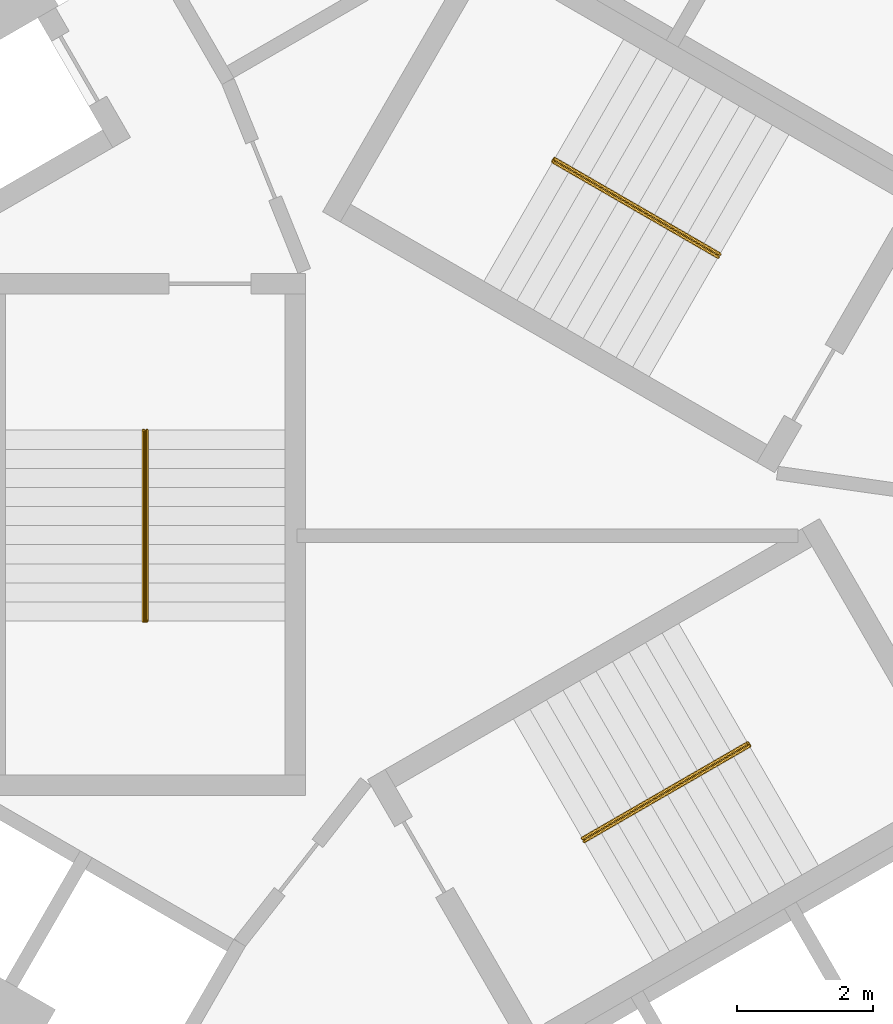
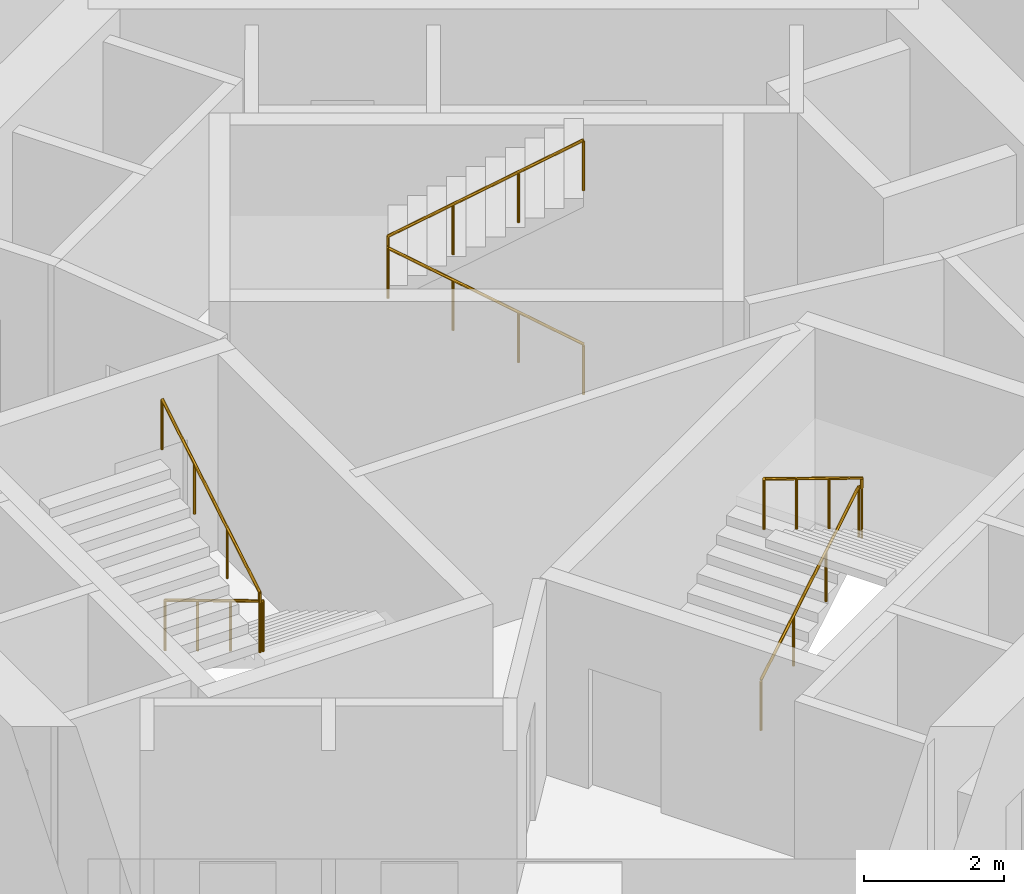
# One storey, part 11 of 11: 3 railings.
"""IFC4 building model written with IfcOpenShell, lengths in metres."""

from ifc_helpers import new_model, si_unit, direction, frame, origin, origin_2d, place, context, subcontext, project, spatial, circle, extrude, material, type_object, element, save


model = new_model("IFC4")

# Units and contexts
model_context = context("Model", 3, precision=1e-05, world=origin(), true_north=direction((0.0, 1.0)))
body_context = subcontext(model_context, "Body", "Model", "MODEL_VIEW")
ifc_project = project(units=[si_unit("LENGTHUNIT", "METRE"), si_unit("AREAUNIT", "SQUARE_METRE"), si_unit("VOLUMEUNIT", "CUBIC_METRE"), si_unit("PLANEANGLEUNIT", "RADIAN"), si_unit("MASSUNIT", "GRAM", prefix="KILO")], contexts=[model_context])

# Site, building, storey
site_placement = place(None, origin())
site = spatial("IfcSite", under=ifc_project, at=site_placement, CompositionType="ELEMENT")
building_placement = place(site_placement, origin())
building = spatial("IfcBuilding", under=site, at=building_placement, Name="Vanh Sen Convention Tower", CompositionType="ELEMENT")
storey_placement = place(building_placement, frame((0.0, 0.0, 247.60009765625)))
storey = spatial("IfcBuildingStorey", under=building, at=storey_placement, Name="L61", CompositionType="ELEMENT", Elevation=247.60009765625)

# Railings
ifc_material = material(Name="Stainless steel handrail", Category="steel")
railing_type = type_object("IfcRailingType", Name="Stair handrail 900", PredefinedType="HANDRAIL", material=ifc_material)
railing_1_placement = place(storey_placement, frame((3.45849609375, 3.690185546875, 0.168212890625)))
element("IfcRailing", 1, at=railing_1_placement, inside=storey, type_object=railing_type, Name="Stair handrail ST1 L61", PredefinedType="HANDRAIL", context=body_context, shape_type="SweptSolid", body=[
    extrude(circle(Radius=0.02392578125, at=origin_2d()), frame((0.0, 0.0, 0.8759765625), z_axis=(-0.74241905619, 0.428617687091, 0.514879426), x_axis=(-0.49998411664, -0.866034573852, 0.0)), (0.0, 0.0, 1.0), 3.26611328125),
    extrude(circle(Radius=0.02392578125, at=origin_2d()), frame((-2.4248046875, 1.39990234375, 2.5576171875), z_axis=(0.497188445666, 0.867642581652, 0.0), x_axis=(-0.867642581652, 0.497188445666, 0.0)), (0.0, 0.0, 1.0), 0.050048828125),
    extrude(circle(Radius=0.02392578125, at=origin_2d()), frame((-2.39990234375, 1.443359375, 2.5576171875), z_axis=(0.0, 0.0, 1.0), x_axis=(1.0, 0.0, 0.0)), (0.0, 0.0, 1.0), 0.168212890625),
    extrude(circle(Radius=0.02392578125, at=origin_2d()), frame((-2.39990234375, 1.443359375, 2.7255859375), z_axis=(0.742366697286, -0.42866220388, 0.514917859203), x_axis=(0.500049511043, 0.865996816683, 0.0)), (0.0, 0.0, 1.0), 3.266357421875),
    extrude(circle(Radius=0.02099609375, at=origin_2d()), origin(), (0.0, 0.0, 1.0), 0.851806640625),
    extrude(circle(Radius=0.02099609375, at=origin_2d()), frame((-0.808349609375, 0.466552734375, 0.560546875)), (0.0, 0.0, 1.0), 0.851806640625),
    extrude(circle(Radius=0.02099609375, at=origin_2d()), frame((-1.616455078125, 0.933349609375, 1.12109375)), (0.0, 0.0, 1.0), 0.851806640625),
    extrude(circle(Radius=0.02099609375, at=origin_2d()), frame((-2.4248046875, 1.39990234375, 1.681640625)), (0.0, 0.0, 1.0), 0.851806640625),
    extrude(circle(Radius=0.02099609375, at=origin_2d()), frame((-2.39990234375, 1.443359375, 1.681640625)), (0.0, 0.0, 1.0), 0.851806640625),
    extrude(circle(Radius=0.02099609375, at=origin_2d()), frame((-2.39990234375, 1.443359375, 1.849853515625)), (0.0, 0.0, 1.0), 0.851806640625),
    extrude(circle(Radius=0.02099609375, at=origin_2d()), frame((-1.591552734375, 0.9765625, 2.410400390625)), (0.0, 0.0, 1.0), 0.851806640625),
    extrude(circle(Radius=0.02099609375, at=origin_2d()), frame((-0.783447265625, 0.510009765625, 2.97119140625)), (0.0, 0.0, 1.0), 0.851806640625),
    extrude(circle(Radius=0.02099609375, at=origin_2d()), frame((0.02490234375, 0.043212890625, 3.53173828125)), (0.0, 0.0, 1.0), 0.851806640625),
])
railing_2_placement = place(storey_placement, frame((-4.925048828125, 1.14990234375, 0.168212890625)))
element("IfcRailing", 2, at=railing_2_placement, inside=storey, type_object=railing_type, Name="Stair handrail ST2 L61", PredefinedType="HANDRAIL", context=body_context, shape_type="SweptSolid", body=[
    extrude(circle(Radius=0.02392578125, at=origin_2d()), frame((0.0, 0.0, 0.8759765625), z_axis=(0.0, -0.857255387014, 0.514891446264), x_axis=(1.0, 0.0, 0.0)), (0.0, 0.0, 1.0), 3.26611328125),
    extrude(circle(Radius=0.02392578125, at=origin_2d()), frame((0.0, -2.7998046875, 2.5576171875), z_axis=(-1.0, 0.0, 0.0), x_axis=(0.0, -1.0, 0.0)), (0.0, 0.0, 1.0), 0.050048828125),
    extrude(circle(Radius=0.02392578125, at=origin_2d()), frame((-0.050048828125, -2.7998046875, 2.5576171875), z_axis=(0.0, 0.0, 1.0), x_axis=(1.0, 0.0, 0.0)), (0.0, 0.0, 1.0), 0.168212890625),
    extrude(circle(Radius=0.02392578125, at=origin_2d()), frame((-0.050048828125, -2.7998046875, 2.7255859375), z_axis=(0.0, 0.857222391501, 0.514946377315), x_axis=(-1.0, 0.0, 0.0)), (0.0, 0.0, 1.0), 3.26611328125),
    extrude(circle(Radius=0.02099609375, at=origin_2d()), origin(), (0.0, 0.0, 1.0), 0.851806640625),
    extrude(circle(Radius=0.02099609375, at=origin_2d()), frame((0.0, -0.933349609375, 0.560546875)), (0.0, 0.0, 1.0), 0.851806640625),
    extrude(circle(Radius=0.02099609375, at=origin_2d()), frame((0.0, -1.866455078125, 1.12109375)), (0.0, 0.0, 1.0), 0.851806640625),
    extrude(circle(Radius=0.02099609375, at=origin_2d()), frame((0.0, -2.7998046875, 1.681640625)), (0.0, 0.0, 1.0), 0.851806640625),
    extrude(circle(Radius=0.02099609375, at=origin_2d()), frame((-0.050048828125, -2.7998046875, 1.681640625)), (0.0, 0.0, 1.0), 0.851806640625),
    extrude(circle(Radius=0.02099609375, at=origin_2d()), frame((-0.050048828125, -2.7998046875, 1.849853515625)), (0.0, 0.0, 1.0), 0.851806640625),
    extrude(circle(Radius=0.02099609375, at=origin_2d()), frame((-0.050048828125, -1.866455078125, 2.410400390625)), (0.0, 0.0, 1.0), 0.851806640625),
    extrude(circle(Radius=0.02099609375, at=origin_2d()), frame((-0.050048828125, -0.933349609375, 2.97119140625)), (0.0, 0.0, 1.0), 0.851806640625),
    extrude(circle(Radius=0.02099609375, at=origin_2d()), frame((-0.050048828125, 0.0, 3.53173828125)), (0.0, 0.0, 1.0), 0.851806640625),
])
railing_3_placement = place(storey_placement, frame((1.466552734375, -4.840087890625, 0.168212890625)))
element("IfcRailing", 3, at=railing_3_placement, inside=storey, type_object=railing_type, Name="Stair handrail ST3 L61", PredefinedType="HANDRAIL", context=body_context, shape_type="SweptSolid", body=[
    extrude(circle(Radius=0.02392578125, at=origin_2d()), frame((0.0, 0.0, 0.8759765625), z_axis=(0.74241905619, 0.428617687091, 0.514879426), x_axis=(-0.49998411664, 0.866034573852, 0.0)), (0.0, 0.0, 1.0), 3.26611328125),
    extrude(circle(Radius=0.02392578125, at=origin_2d()), frame((2.4248046875, 1.39990234375, 2.5576171875), z_axis=(0.502959906984, -0.86430974307, 0.0), x_axis=(0.86430974307, 0.502959906984, 0.0)), (0.0, 0.0, 1.0), 0.050048828125),
    extrude(circle(Radius=0.02392578125, at=origin_2d()), frame((2.449951171875, 1.356689453125, 2.5576171875), z_axis=(0.0, 0.0, 1.0), x_axis=(1.0, 0.0, 0.0)), (0.0, 0.0, 1.0), 0.168212890625),
    extrude(circle(Radius=0.02392578125, at=origin_2d()), frame((2.449951171875, 1.356689453125, 2.7255859375), z_axis=(-0.742366697286, -0.42866220388, 0.514917859203), x_axis=(0.500049511043, -0.865996816683, 0.0)), (0.0, 0.0, 1.0), 3.266357421875),
    extrude(circle(Radius=0.02099609375, at=origin_2d()), origin(), (0.0, 0.0, 1.0), 0.851806640625),
    extrude(circle(Radius=0.02099609375, at=origin_2d()), frame((0.808349609375, 0.466552734375, 0.560546875)), (0.0, 0.0, 1.0), 0.851806640625),
    extrude(circle(Radius=0.02099609375, at=origin_2d()), frame((1.616455078125, 0.933349609375, 1.12109375)), (0.0, 0.0, 1.0), 0.851806640625),
    extrude(circle(Radius=0.02099609375, at=origin_2d()), frame((2.4248046875, 1.39990234375, 1.681640625)), (0.0, 0.0, 1.0), 0.851806640625),
    extrude(circle(Radius=0.02099609375, at=origin_2d()), frame((2.449951171875, 1.356689453125, 1.681640625)), (0.0, 0.0, 1.0), 0.851806640625),
    extrude(circle(Radius=0.02099609375, at=origin_2d()), frame((2.449951171875, 1.356689453125, 1.849853515625)), (0.0, 0.0, 1.0), 0.851806640625),
    extrude(circle(Radius=0.02099609375, at=origin_2d()), frame((1.6416015625, 0.889892578125, 2.410400390625)), (0.0, 0.0, 1.0), 0.851806640625),
    extrude(circle(Radius=0.02099609375, at=origin_2d()), frame((0.83349609375, 0.42333984375, 2.97119140625)), (0.0, 0.0, 1.0), 0.851806640625),
    extrude(circle(Radius=0.02099609375, at=origin_2d()), frame((0.025146484375, -0.04345703125, 3.53173828125)), (0.0, 0.0, 1.0), 0.851806640625),
])

save(model, "model.ifc")
